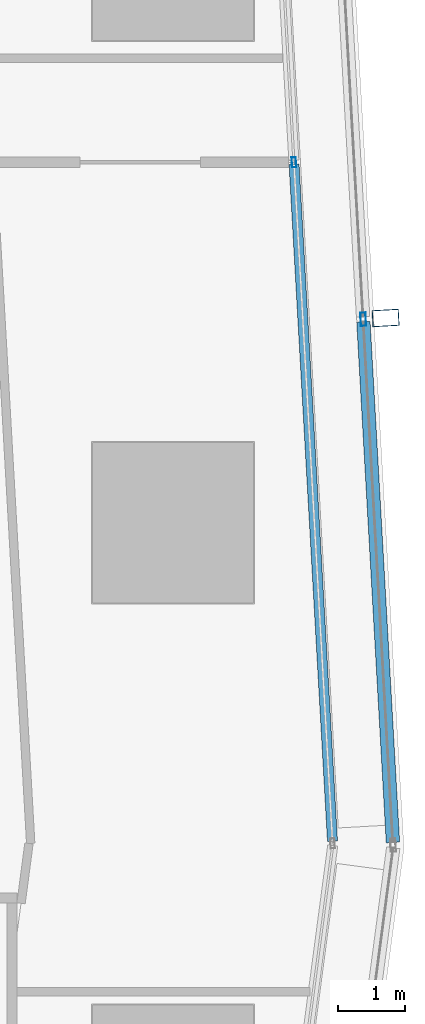
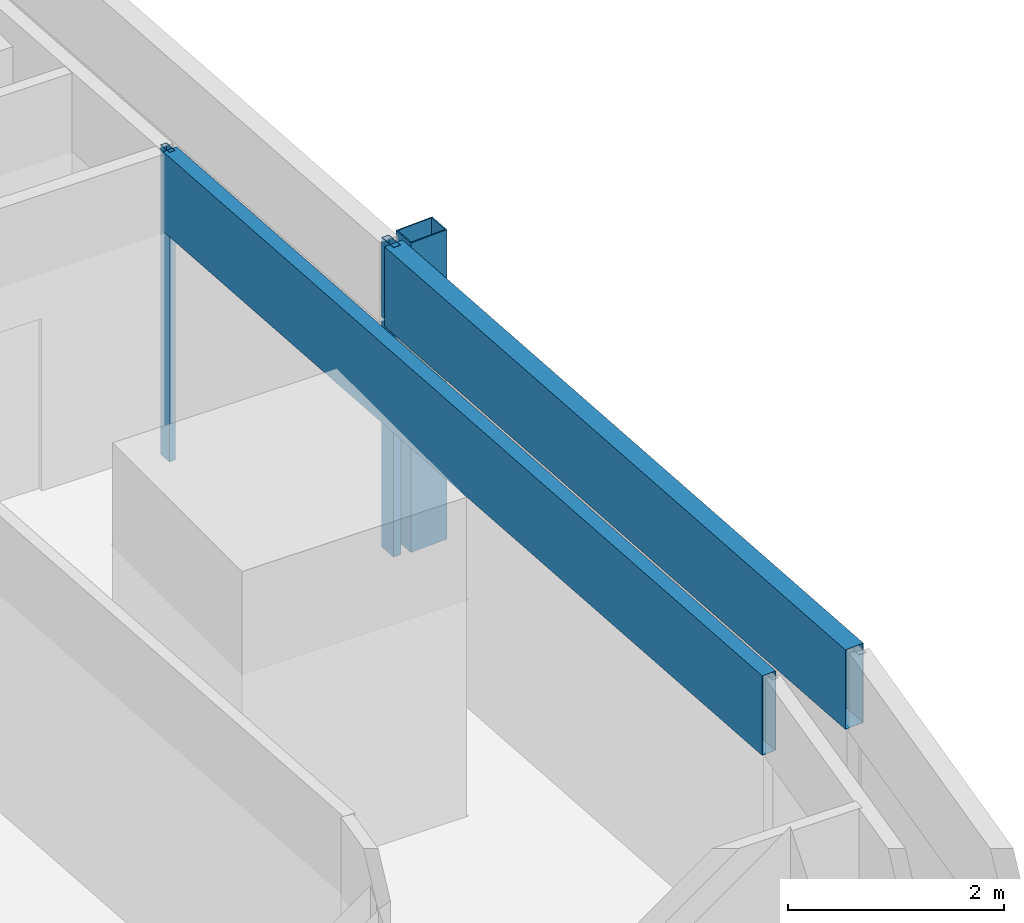
# One storey, part 12 of 37: 5 members, 2 elements without a shape of their own.
"""IFC4 building model written with IfcOpenShell, lengths in metres."""

from ifc_helpers import new_model, si_unit, direction, frame, origin, origin_2d, place, context, subcontext, project, spatial, hollow_rectangle, extrude, material, material_profile, profile_set, type_object, element, aggregate, save


model = new_model("IFC4")

# Units and contexts
model_context = context("Model", 3, precision=1e-05, world=origin(), true_north=direction((0.0, 1.0)))
body_context = subcontext(model_context, "Body", "Model", "MODEL_VIEW")
ifc_project = project(units=[si_unit("LENGTHUNIT", "METRE"), si_unit("AREAUNIT", "SQUARE_METRE"), si_unit("VOLUMEUNIT", "CUBIC_METRE"), si_unit("PLANEANGLEUNIT", "RADIAN"), si_unit("MASSUNIT", "GRAM", prefix="KILO")], contexts=[model_context])

# Site, building, storey
site_placement = place(None, origin())
site = spatial("IfcSite", under=ifc_project, at=site_placement, CompositionType="ELEMENT")
building_placement = place(site_placement, origin())
building = spatial("IfcBuilding", under=site, at=building_placement, Name="Rekha Terrace Tower", CompositionType="ELEMENT")
storey_placement = place(building_placement, frame((0.0, 0.0, 228.949951171875)))
storey = spatial("IfcBuildingStorey", under=building, at=storey_placement, Name="L58", CompositionType="ELEMENT", Elevation=228.949951171875)

# Curtain wall, member
ifc_material_1 = material(Name="Aluminium framing", Category="aluminium")
curtain_wall_type_1 = type_object("IfcCurtainWallType", Name="CW2 double skin outer glazing", PredefinedType="USERDEFINED", material=ifc_material_1)
curtain_wall_1_placement = place(storey_placement, origin())
curtain_wall_1 = element("IfcCurtainWall", 1, at=curtain_wall_1_placement, inside=storey, type_object=curtain_wall_type_1, Name="CW2 double skin outer glazing", ObjectType="DOUBLE SKIN OUTER GLAZING", PredefinedType="USERDEFINED")
ifc_material_2 = material(Name="Steel S355 with fluorocarbon finish", Category="steel")
ifc_material_profile_1 = material_profile(ifc_material_2, hollow_rectangle(XDim=0.25, YDim=0.39990234375, WallThickness=0.012451171875, at=origin_2d()), Name="RHS400x250x12.5")
ifc_profile_set_1 = profile_set([ifc_material_profile_1], Name="Steel S355 with fluorocarbon finish")
member_type_1 = type_object("IfcMemberType", Name="BL1 facade blade RHS 400 x 250", PredefinedType="USERDEFINED", material=ifc_profile_set_1)
member_1_placement = place(storey_placement, frame((61.975830078125, 36.65576171875, 0.0), z_axis=(0.0, 0.0, 1.0), x_axis=(-0.056673619809, 0.998392758797, 0.0)))
member_1 = element("IfcMember", 2, at=member_1_placement, type_object=member_type_1, Name="Facade blade", ObjectType="FACADE BLADE", PredefinedType="USERDEFINED", context=body_context, shape_type="SweptSolid", body=[
    extrude(hollow_rectangle(XDim=0.25, YDim=0.39990234375, WallThickness=0.012451171875, at=origin_2d()), origin(), (0.0, 0.0, 1.0), 3.5),
])

# Curtain wall, members
curtain_wall_type_2 = type_object("IfcCurtainWallType", Name="CW1 double skin inner glazing", PredefinedType="USERDEFINED", material=ifc_material_1)
curtain_wall_2_placement = place(storey_placement, origin())
curtain_wall_2 = element("IfcCurtainWall", 3, at=curtain_wall_2_placement, inside=storey, type_object=curtain_wall_type_2, Name="CW1 double skin inner glazing", ObjectType="DOUBLE SKIN INNER GLAZING", PredefinedType="USERDEFINED")
ifc_material_3 = material(Name="Aluminium mullion section", Category="aluminium")
ifc_material_profile_2 = material_profile(ifc_material_3, hollow_rectangle(XDim=0.06494140625, YDim=0.14990234375, WallThickness=0.00390625, at=origin_2d()), Name="AL RHS 65x150")
ifc_profile_set_2 = profile_set([ifc_material_profile_2], Name="Aluminium mullion section")
member_type_2 = type_object("IfcMemberType", Name="CW1 mullion RHS 65 x 150", PredefinedType="MULLION", material=ifc_profile_set_2)
member_2_placement = place(storey_placement, frame((60.60693359375, 38.980712890625, 0.0), z_axis=(0.0, 0.0, 1.0), x_axis=(-0.998392782918, -0.056673194877, 0.0)))
member_2 = element("IfcMember", 4, at=member_2_placement, type_object=member_type_2, Name="CW1 mullion 2", PredefinedType="MULLION", context=body_context, shape_type="SweptSolid", body=[
    extrude(hollow_rectangle(XDim=0.06494140625, YDim=0.14990234375, WallThickness=0.00390625, at=origin_2d()), origin(), (0.0, 0.0, 1.0), 3.5),
])
ifc_material_4 = material(Name="Insulated aluminium spandrel box", Category="aluminium")
ifc_material_profile_3 = material_profile(ifc_material_4, hollow_rectangle(XDim=0.14990234375, YDim=0.89990234375, WallThickness=0.0029296875, at=origin_2d()), Name="AL SPANDREL BOX 150x900")
ifc_profile_set_3 = profile_set([ifc_material_profile_3], Name="Insulated aluminium spandrel box")
member_type_3 = type_object("IfcMemberType", Name="CW1 spandrel transom 150 x 900", PredefinedType="USERDEFINED", material=ifc_profile_set_3)
member_3_placement = place(storey_placement, frame((61.182373046875, 28.8447265625, 3.050048828125), z_axis=(-0.056669850498, 0.998392972754, 0.0), x_axis=(-0.998392972754, -0.056669850498, 0.0)))
member_3 = element("IfcMember", 5, at=member_3_placement, type_object=member_type_3, Name="CW1 spandrel transom 1", ObjectType="TRANSOM", PredefinedType="USERDEFINED", context=body_context, shape_type="SweptSolid", body=[
    extrude(hollow_rectangle(XDim=0.14990234375, YDim=0.89990234375, WallThickness=0.0029296875, at=origin_2d()), origin(), (0.0, 0.0, 1.0), 10.119873046875),
])
aggregate(curtain_wall_2, [member_2, member_3])

# Member
ifc_material_profile_4 = material_profile(ifc_material_3, hollow_rectangle(XDim=0.080078125, YDim=0.199951171875, WallThickness=0.00390625, at=origin_2d()), Name="AL RHS 80x200")
ifc_profile_set_4 = profile_set([ifc_material_profile_4], Name="Aluminium mullion section")
member_type_4 = type_object("IfcMemberType", Name="CW2 mullion RHS 80 x 200", PredefinedType="MULLION", material=ifc_profile_set_4)
member_4_placement = place(storey_placement, frame((61.6416015625, 36.63671875, 0.0), z_axis=(0.0, 0.0, 1.0), x_axis=(-0.998392782919, -0.05667319486, 0.0)))
member_4 = element("IfcMember", 6, at=member_4_placement, type_object=member_type_4, Name="CW2 mullion 2", PredefinedType="MULLION", context=body_context, shape_type="SweptSolid", body=[
    extrude(hollow_rectangle(XDim=0.080078125, YDim=0.199951171875, WallThickness=0.00390625, at=origin_2d()), origin(), (0.0, 0.0, 1.0), 3.5),
])

ifc_material_profile_5 = material_profile(ifc_material_4, hollow_rectangle(XDim=0.199951171875, YDim=0.89990234375, WallThickness=0.0029296875, at=origin_2d()), Name="AL SPANDREL BOX 200x900")
ifc_profile_set_5 = profile_set([ifc_material_profile_5], Name="Insulated aluminium spandrel box")
member_type_5 = type_object("IfcMemberType", Name="CW2 spandrel transom 200 x 900", PredefinedType="USERDEFINED", material=ifc_profile_set_5)
member_5_placement = place(storey_placement, frame((62.0849609375, 28.825927734375, 3.050048828125), z_axis=(-0.05667908121, 0.998392448766, 0.0), x_axis=(-0.998392448766, -0.05667908121, 0.0)))
member_5 = element("IfcMember", 7, at=member_5_placement, type_object=member_type_5, Name="CW2 spandrel transom 1", ObjectType="TRANSOM", PredefinedType="USERDEFINED", context=body_context, shape_type="SweptSolid", body=[
    extrude(hollow_rectangle(XDim=0.199951171875, YDim=0.89990234375, WallThickness=0.0029296875, at=origin_2d()), origin(), (0.0, 0.0, 1.0), 7.783447265625),
])

aggregate(curtain_wall_1, [member_4, member_5, member_1])

save(model, "model.ifc")
